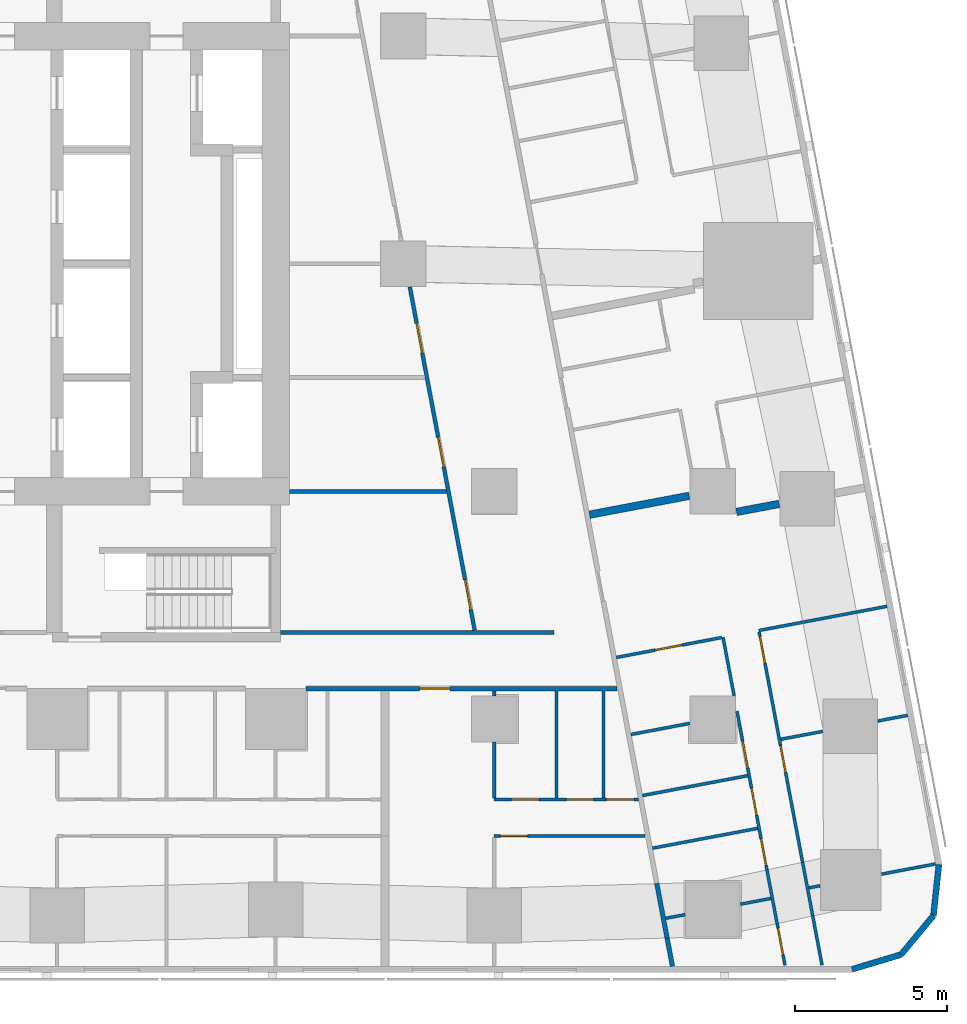
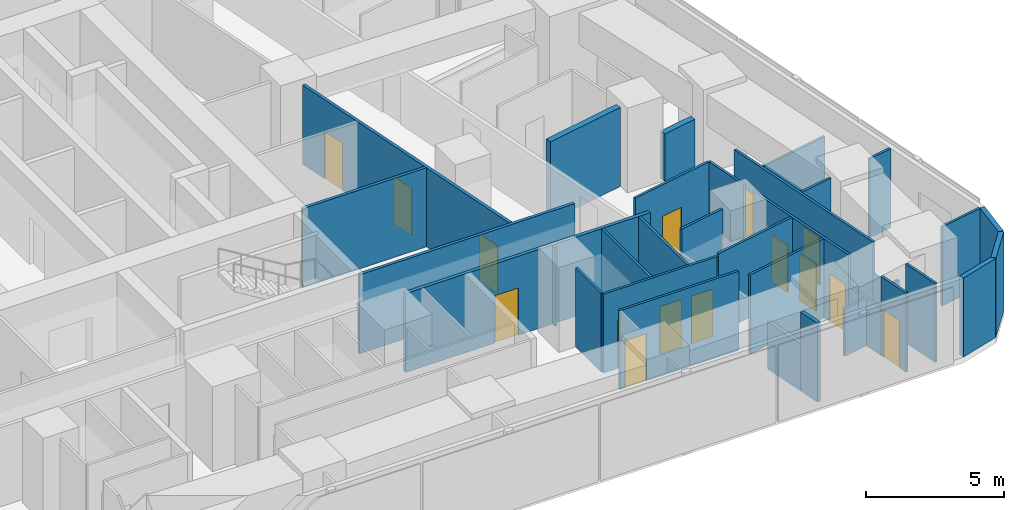
# One storey, part 6 of 14: 35 walls, 15 doors, 15 openings.
"""IFC4 building model written with IfcOpenShell, lengths in metres."""

import ifcopenshell
import ifcopenshell.guid

model = None  # the IFC model being written
_history = None  # IfcOwnerHistory: only IFC2X3 demands one
_inside = {}  # id of a spatial element -> (the spatial element, [elements in it])
_under = {}  # id of a project, library or spatial element -> (it, [spatial elements below it])
_declared = {}  # id of a project -> (the project, [libraries it declares])
_typed = {}  # id of a type object -> (the type object, [elements of that type])
_made_of = {}  # id of a material, layer set ... -> (it, [elements and type objects made of it])


def new_model(schema):
    """Start an empty IFC model of exactly this schema.

    Asked for "IFC4X3", IfcOpenShell would pick the latest addendum, in which some entities
    have other attributes; the version numbers below select the first issue.
    IFC2X3 requires an IfcOwnerHistory on every rooted entity: one is made here for all.
    """
    global model, _history
    if schema == "IFC4X3":
        model = ifcopenshell.file(schema_version=(4, 3, 0, 0))
    else:
        model = ifcopenshell.file(schema=schema)
    _inside.clear()
    _under.clear()
    _declared.clear()
    _typed.clear()
    _made_of.clear()
    _history = None
    if model.schema == "IFC2X3":
        org = make("IfcOrganization", Name="unknown")
        user = make(
            "IfcPersonAndOrganization",
            ThePerson=make("IfcPerson", FamilyName="unknown"),
            TheOrganization=org,
        )
        app = make(
            "IfcApplication",
            ApplicationDeveloper=org,
            Version="unknown",
            ApplicationFullName="unknown",
            ApplicationIdentifier="unknown",
        )
        _history = make(
            "IfcOwnerHistory",
            OwningUser=user,
            OwningApplication=app,
            ChangeAction="ADDED",
            CreationDate=0,
        )
    return model


def make(cls, **values):
    """One entity of the class cls with the attributes given. An attribute that is None is left unset."""
    return model.create_entity(
        cls, **{name: value for name, value in values.items() if value is not None}
    )


def rooted(cls, **values):
    """An entity with a GlobalId (a new one), such as an element, a storey or a relation."""
    return make(cls, GlobalId=ifcopenshell.guid.new(), OwnerHistory=_history, **values)


def si_unit(unit_type, name, prefix=None):
    """IfcSIUnit, for example si_unit("LENGTHUNIT", "METRE", prefix="MILLI")."""
    return make("IfcSIUnit", UnitType=unit_type, Prefix=prefix, Name=name)


def assignment(units):
    """IfcUnitAssignment: the units of a project."""
    return None if units is None else make("IfcUnitAssignment", Units=units)


def point(xyz):
    """IfcCartesianPoint."""
    return None if xyz is None else make("IfcCartesianPoint", Coordinates=xyz)


def direction(xyz):
    """IfcDirection."""
    return None if xyz is None else make("IfcDirection", DirectionRatios=xyz)


def frame(location, z_axis=None, x_axis=None):
    """IfcAxis2Placement3D, a coordinate frame: its origin and axes. An axis left out is left unset."""
    return make(
        "IfcAxis2Placement3D",
        Location=point(location),
        Axis=direction(z_axis),
        RefDirection=direction(x_axis),
    )


def frame_2d(location, x_axis=None):
    """IfcAxis2Placement2D, a coordinate frame in the plane: its origin and x axis."""
    return make(
        "IfcAxis2Placement2D", Location=point(location), RefDirection=direction(x_axis)
    )


def origin():
    """The frame at (0, 0, 0) with its axes left unset."""
    return frame((0.0, 0.0, 0.0))


def place(relative_to, where):
    """IfcLocalPlacement: puts the frame where relative to a parent placement (None: the world)."""
    return make(
        "IfcLocalPlacement", PlacementRelTo=relative_to, RelativePlacement=where
    )


def context(
    kind, dimensions, precision=None, world=None, true_north=None, identifier=None
):
    """IfcGeometricRepresentationContext, for example the 3D "Model" context."""
    return make(
        "IfcGeometricRepresentationContext",
        ContextIdentifier=identifier,
        ContextType=kind,
        CoordinateSpaceDimension=dimensions,
        Precision=precision,
        WorldCoordinateSystem=world,
        TrueNorth=true_north,
    )


def subcontext(parent, identifier, kind, view, scale=None):
    """IfcGeometricRepresentationSubContext, for example "Body" below "Model"."""
    return make(
        "IfcGeometricRepresentationSubContext",
        ContextIdentifier=identifier,
        ContextType=kind,
        ParentContext=parent,
        TargetScale=scale,
        TargetView=view,
    )


def project(units=None, contexts=None):
    """IfcProject with its units and contexts."""
    return rooted(
        "IfcProject",
        Name="project",
        RepresentationContexts=contexts,
        UnitsInContext=assignment(units),
    )


def spatial(cls, under=None, at=None, **own):
    """A site, building, storey or space (cls), placed at a placement, below another one or the project."""
    s = rooted(cls, ObjectPlacement=at, **own)
    if under is not None:
        _under.setdefault(under.id(), (under, []))[1].append(s)
    return s


def profile(cls, at=None, kind="AREA", **sizes):
    """A parametric profile (cls). Its sizes go by their IFC names, for example OverallWidth=200.0."""
    return make(cls, ProfileType=kind, Position=at, **sizes)


def rectangle(**sizes):
    """IfcRectangleProfileDef."""
    return profile("IfcRectangleProfileDef", **sizes)


def extrude(swept, where, along, depth):
    """IfcExtrudedAreaSolid: the profile swept, set in the frame where, extruded along a direction by depth."""
    return make(
        "IfcExtrudedAreaSolid",
        SweptArea=swept,
        Position=where,
        ExtrudedDirection=direction(along),
        Depth=depth,
    )


def shape(context_of_items, identifier, shape_type, items):
    """IfcShapeRepresentation: the items that make up one representation, for example the "Body"."""
    return make(
        "IfcShapeRepresentation",
        ContextOfItems=context_of_items,
        RepresentationIdentifier=identifier,
        RepresentationType=shape_type,
        Items=items,
    )


def material(Name=None, Category=None):
    """IfcMaterial."""
    return make("IfcMaterial", Name=Name, Category=Category)


def layer(
    of_material, thickness, ventilated=None, Name=None, Category=None, Priority=None
):
    """IfcMaterialLayer: one layer of a wall or slab, of a material (None: an air gap)."""
    return make(
        "IfcMaterialLayer",
        Material=of_material,
        LayerThickness=thickness,
        IsVentilated=ventilated,
        Name=Name,
        Category=Category,
        Priority=Priority,
    )


def layer_set(layers, Name=None):
    """IfcMaterialLayerSet."""
    return make("IfcMaterialLayerSet", MaterialLayers=layers, LayerSetName=Name)


def made_of(thing, what):
    """Note that an element or type object is made of a material, layer set ...; save() writes the relation."""
    if what is not None:
        _made_of.setdefault(what.id(), (what, []))[1].append(thing)
    return thing


def type_object(cls, material=None, **own):
    """A type object (cls), such as IfcWallType, which elements share."""
    return made_of(rooted(cls, **own), material)


def element(
    cls,
    number,
    at=None,
    inside=None,
    cuts=None,
    type_object=None,
    material=None,
    context=None,
    identifier="Body",
    shape_type=None,
    held_by="IfcProductDefinitionShape",
    body=None,
    shapes=None,
    **own,
):
    """One element of the class cls, such as IfcWall. Its Tag is "e" and its number.

    at: its placement. inside: the storey or other place that contains it. cuts: it is an
    opening in that element (IfcRelVoidsElement). A single representation is given by context,
    identifier, shape_type and body (its items); several are given by shapes. held_by: the class
    of the entity that holds the representations. save() writes the other relations.
    """
    e = rooted(cls, Tag="e%d" % number, ObjectPlacement=at, **own)
    if body is not None:
        shapes = [shape(context, identifier, shape_type, body)]
    if shapes is not None:
        e.Representation = make(held_by, Representations=shapes)
    if inside is not None:
        _inside.setdefault(inside.id(), (inside, []))[1].append(e)
    if cuts is not None:
        rooted(
            "IfcRelVoidsElement", RelatingBuildingElement=cuts, RelatedOpeningElement=e
        )
    if type_object is not None:
        _typed.setdefault(type_object.id(), (type_object, []))[1].append(e)
    return made_of(e, material)


def fill(opening, filler):
    """IfcRelFillsElement: the door or window that sits in an opening."""
    return rooted(
        "IfcRelFillsElement",
        RelatingOpeningElement=opening,
        RelatedBuildingElement=filler,
    )


def aggregate(whole, parts):
    """IfcRelAggregates: a whole, such as a stair, and the parts it consists of."""
    return rooted("IfcRelAggregates", RelatingObject=whole, RelatedObjects=parts)


def save(model, path):
    """Write the relations noted so far, then the file.

    IfcRelAggregates (storeys below a building ...), IfcRelContainedInSpatialStructure (elements
    in a storey), IfcRelDefinesByType, IfcRelAssociatesMaterial and IfcRelDeclares: one each for
    every whole, place, type object, material and project.
    """
    for whole, parts in _under.values():
        aggregate(whole, parts)
    for where, things in _inside.values():
        rooted(
            "IfcRelContainedInSpatialStructure",
            RelatedElements=things,
            RelatingStructure=where,
        )
    for kind, things in _typed.values():
        rooted("IfcRelDefinesByType", RelatedObjects=things, RelatingType=kind)
    for what, things in _made_of.values():
        rooted("IfcRelAssociatesMaterial", RelatedObjects=things, RelatingMaterial=what)
    for by, libraries in _declared.values():
        rooted("IfcRelDeclares", RelatingContext=by, RelatedDefinitions=libraries)
    model.write(path)


model = new_model("IFC4")

# Units and contexts
model_context = context("Model", 3, precision=1e-05, world=origin(), true_north=direction((0.0, 1.0)))
body_context = subcontext(model_context, "Body", "Model", "MODEL_VIEW")
ifc_project = project(units=[si_unit("LENGTHUNIT", "METRE"), si_unit("AREAUNIT", "SQUARE_METRE"), si_unit("VOLUMEUNIT", "CUBIC_METRE"), si_unit("PLANEANGLEUNIT", "RADIAN"), si_unit("MASSUNIT", "GRAM", prefix="KILO")], contexts=[model_context])

# Site, building, storey
site_placement = place(None, origin())
site = spatial("IfcSite", under=ifc_project, at=site_placement, CompositionType="ELEMENT")
building_placement = place(site_placement, origin())
building = spatial("IfcBuilding", under=site, at=building_placement, Name="Sheger Commons Tower", CompositionType="ELEMENT")
storey_placement = place(building_placement, frame((0.0, 0.0, 135.800048828125)))
storey = spatial("IfcBuildingStorey", under=building, at=storey_placement, Name="L34", CompositionType="ELEMENT", Elevation=135.800048828125)

# Wall, opening, door
ifc_material_1 = material(Name="Hollow concrete block masonry, skimmed both sides", Category="masonry")
ifc_layer_1 = layer(ifc_material_1, 0.14990234375)
ifc_layer_set_1 = layer_set([ifc_layer_1], Name="CORRIDOR WALL 150")
wall_type_1 = type_object("IfcWallType", Name="CORRIDOR WALL 150", PredefinedType="SOLIDWALL", material=ifc_layer_set_1)
wall_1_placement = place(storey_placement, frame((40.052978515625, 8.5, 0.0), z_axis=(0.0, 0.0, 1.0), x_axis=(-1.0, 0.0, 0.0)))
wall_1 = element("IfcWall", 1, at=wall_1_placement, inside=storey, type_object=wall_type_1, Name="Corridor wall L34", PredefinedType="SOLIDWALL", context=body_context, shape_type="SweptSolid", body=[
    extrude(rectangle(XDim=10.251953125, YDim=0.14990234375, at=frame_2d((5.1259765625, 0.0))), origin(), (0.0, 0.0, 1.0), 3.5),
])
opening_1_placement = place(wall_1_placement, frame((5.513916015625, 0.0, 0.0)))
opening_1 = element("IfcOpeningElement", 2, at=opening_1_placement, cuts=wall_1, Name="Opening D1", PredefinedType="OPENING", context=body_context, shape_type="SweptSolid", body=[
    extrude(rectangle(XDim=1.0, YDim=2.10009765625, at=frame_2d((0.5, 1.050048828125))), frame((0.0, 0.0849609375, 0.0), z_axis=(0.0, -1.0, 0.0), x_axis=(1.0, 0.0, 0.0)), (0.0, 0.0, 1.0), 0.169921875),
])
ifc_material_2 = material(Name="Steel door set, fire rated", Category="steel")
door_type_1 = type_object("IfcDoorType", Name="FLAT ENTRANCE DOOR 1000x2100", OperationType="NOTDEFINED", PredefinedType="DOOR", material=ifc_material_2)
door_1_placement = place(opening_1_placement, origin())
door_1 = element("IfcDoor", 3, at=door_1_placement, inside=storey, type_object=door_type_1, Name="Flat entrance door", OperationType="SINGLE_SWING_RIGHT", OverallHeight=2.10009765625, OverallWidth=1.0, PredefinedType="DOOR", context=body_context, shape_type="SweptSolid", body=[
    extrude(rectangle(XDim=1.0, YDim=2.10009765625, at=frame_2d((0.5, 1.050048828125))), frame((0.0, 0.02490234375, 0.0), z_axis=(0.0, -1.0, 0.0), x_axis=(1.0, 0.0, 0.0)), (0.0, 0.0, 1.0), 0.050048828125),
])
fill(opening_1, door_1)

# Walls
wall_2_placement = place(storey_placement, frame((41.35498046875, 2.0859375, 0.0), z_axis=(0.0, 0.0, 1.0), x_axis=(0.185708872674, -0.982604811005, 0.0)))
element("IfcWall", 4, at=wall_2_placement, inside=storey, type_object=wall_type_1, Name="Corridor wall L34", PredefinedType="SOLIDWALL", context=body_context, shape_type="SweptSolid", body=[
    extrude(rectangle(XDim=1.84716796875, YDim=0.14990234375, at=frame_2d((0.923583984375, 0.0))), origin(), (0.0, 0.0, 1.0), 2.099853515625),
])
wall_3_placement = place(storey_placement, frame((41.697998046875, 0.27099609375, 0.0), z_axis=(0.0, 0.0, 1.0), x_axis=(0.185735329995, -0.982599810295, 0.0)))
element("IfcWall", 5, at=wall_3_placement, inside=storey, type_object=wall_type_1, Name="Corridor wall L34", PredefinedType="SOLIDWALL", context=body_context, shape_type="SweptSolid", body=[
    extrude(rectangle(XDim=0.937255859375, YDim=0.14990234375, at=frame_2d((0.46875, 0.0))), origin(), (0.0, 0.0, 1.0), 3.5),
])
ifc_material_3 = material(Name="Dense concrete block masonry, plastered both sides (separating wall between flats)", Category="masonry")
ifc_layer_2 = layer(ifc_material_3, 0.25)
ifc_layer_set_2 = layer_set([ifc_layer_2], Name="DEMISING WALL 250")
wall_type_2 = type_object("IfcWallType", Name="DEMISING WALL 250", PredefinedType="SOLIDWALL", material=ifc_layer_set_2)
wall_4_placement = place(storey_placement, frame((45.389892578125, 14.587890625, 0.0), z_axis=(0.0, 0.0, 1.0), x_axis=(-0.982680951688, -0.18530555089, 0.0)))
element("IfcWall", 6, at=wall_4_placement, inside=storey, type_object=wall_type_2, Name="Demising wall L34", PredefinedType="SOLIDWALL", context=body_context, shape_type="SweptSolid", body=[
    extrude(rectangle(XDim=1.434814453125, YDim=0.25, at=frame_2d((0.71728515625, 0.0))), origin(), (0.0, 0.0, 1.0), 2.099853515625),
])
wall_5_placement = place(storey_placement, frame((42.426025390625, 14.85302734375, 0.0), z_axis=(0.0, 0.0, 1.0), x_axis=(-0.982633560103, -0.185556693654, 0.0)))
element("IfcWall", 7, at=wall_5_placement, inside=storey, type_object=wall_type_2, Name="Demising wall L34", PredefinedType="SOLIDWALL", context=body_context, shape_type="SweptSolid", body=[
    extrude(rectangle(XDim=3.34716796875, YDim=0.25, at=frame_2d((1.673583984375, 0.0))), origin(), (0.0, 0.0, 1.0), 3.5),
])
ifc_material_4 = material(Name="Rendered concrete block masonry, dark grey", Category="masonry")
ifc_layer_3 = layer(ifc_material_4, 0.199951171875)
ifc_layer_set_3 = layer_set([ifc_layer_3], Name="FACADE WALL 200")
wall_type_3 = type_object("IfcWallType", Name="FACADE WALL 200", PredefinedType="SOLIDWALL", material=ifc_layer_set_3)
wall_6_placement = place(storey_placement, frame((47.791015625, -0.75, 0.0), z_axis=(0.0, 0.0, 1.0), x_axis=(0.957455232626, 0.288581838509, 0.0)))
element("IfcWall", 8, at=wall_6_placement, inside=storey, type_object=wall_type_3, Name="Facade wall L34", PredefinedType="SOLIDWALL", context=body_context, shape_type="SweptSolid", body=[
    extrude(rectangle(XDim=1.687744140625, YDim=0.199951171875, at=frame_2d((0.84375, 0.0))), origin(), (0.0, 0.0, 1.0), 3.5),
])
wall_7_placement = place(storey_placement, frame((49.406982421875, -0.262939453125, 0.0), z_axis=(0.0, 0.0, 1.0), x_axis=(0.638042593423, 0.770001070764, 0.0)))
element("IfcWall", 9, at=wall_7_placement, inside=storey, type_object=wall_type_3, Name="Facade wall L34", PredefinedType="SOLIDWALL", context=body_context, shape_type="SweptSolid", body=[
    extrude(rectangle(XDim=1.672607421875, YDim=0.199951171875, at=frame_2d((0.83642578125, 0.0))), origin(), (0.0, 0.0, 1.0), 3.5),
])
wall_8_placement = place(storey_placement, frame((50.47412109375, 1.02490234375, 0.0), z_axis=(0.0, 0.0, 1.0), x_axis=(0.106047815515, 0.994361031429, 0.0)))
element("IfcWall", 10, at=wall_8_placement, inside=storey, type_object=wall_type_3, Name="Facade wall L34", PredefinedType="SOLIDWALL", context=body_context, shape_type="SweptSolid", body=[
    extrude(rectangle(XDim=1.6875, YDim=0.199951171875, at=frame_2d((0.84375, 0.0))), origin(), (0.0, 0.0, 1.0), 3.5),
])

# Wall, opening, door
ifc_material_5 = material(Name="Gypsum board on steel studs", Category="steel")
ifc_layer_4 = layer(ifc_material_5, 0.10009765625)
ifc_layer_set_4 = layer_set([ifc_layer_4], Name="PARTITION 100")
wall_type_4 = type_object("IfcWallType", Name="PARTITION 100", PredefinedType="PARTITIONING", material=ifc_layer_set_4)
wall_9_placement = place(storey_placement, frame((40.97412109375, 3.64990234375, 0.0), z_axis=(0.0, 0.0, 1.0), x_axis=(-1.0, 0.0, 0.0)))
wall_9 = element("IfcWall", 11, at=wall_9_placement, inside=storey, type_object=wall_type_4, Name="Partition L34", PredefinedType="PARTITIONING", context=body_context, shape_type="SweptSolid", body=[
    extrude(rectangle(XDim=4.97412109375, YDim=0.10009765625, at=frame_2d((2.487060546875, 0.0))), origin(), (0.0, 0.0, 1.0), 3.5),
])
opening_2_placement = place(wall_9_placement, frame((3.8740234375, 0.0, 0.0)))
opening_2 = element("IfcOpeningElement", 12, at=opening_2_placement, cuts=wall_9, Name="Opening D2", PredefinedType="OPENING", context=body_context, shape_type="SweptSolid", body=[
    extrude(rectangle(XDim=0.89990234375, YDim=2.10009765625, at=frame_2d((0.449951171875, 1.050048828125))), frame((0.0, 0.06005859375, 0.0), z_axis=(0.0, -1.0, 0.0), x_axis=(1.0, 0.0, 0.0)), (0.0, 0.0, 1.0), 0.1201171875),
])
ifc_material_6 = material(Name="Timber door set", Category="wood")
door_type_2 = type_object("IfcDoorType", Name="INTERNAL DOOR 900x2100", OperationType="NOTDEFINED", PredefinedType="DOOR", material=ifc_material_6)
door_2_placement = place(opening_2_placement, origin())
door_2 = element("IfcDoor", 13, at=door_2_placement, inside=storey, type_object=door_type_2, Name="Main bedroom door", OperationType="SINGLE_SWING_RIGHT", OverallHeight=2.10009765625, OverallWidth=0.89990234375, PredefinedType="DOOR", context=body_context, shape_type="SweptSolid", body=[
    extrude(rectangle(XDim=0.89990234375, YDim=2.10009765625, at=frame_2d((0.449951171875, 1.050048828125))), frame((0.0, 0.02490234375, 0.0), z_axis=(0.0, -1.0, 0.0), x_axis=(1.0, 0.0, 0.0)), (0.0, 0.0, 1.0), 0.050048828125),
])
fill(opening_2, door_2)

# Wall, openings, doors
wall_10_placement = place(storey_placement, frame((40.7470703125, 4.85009765625, 0.0), z_axis=(0.0, 0.0, 1.0), x_axis=(-1.0, 0.0, 0.0)))
wall_10 = element("IfcWall", 14, at=wall_10_placement, inside=storey, type_object=wall_type_4, Name="Partition L34", PredefinedType="PARTITIONING", context=body_context, shape_type="SweptSolid", body=[
    extrude(rectangle(XDim=4.7470703125, YDim=0.10009765625, at=frame_2d((2.37353515625, 0.0))), origin(), (0.0, 0.0, 1.0), 3.5),
])
opening_3_placement = place(wall_10_placement, frame((3.27197265625, 0.0, 0.0)))
opening_3 = element("IfcOpeningElement", 15, at=opening_3_placement, cuts=wall_10, Name="Opening D2", PredefinedType="OPENING", context=body_context, shape_type="SweptSolid", body=[
    extrude(rectangle(XDim=0.89990234375, YDim=2.10009765625, at=frame_2d((0.449951171875, 1.050048828125))), frame((0.0, 0.06005859375, 0.0), z_axis=(0.0, -1.0, 0.0), x_axis=(1.0, 0.0, 0.0)), (0.0, 0.0, 1.0), 0.1201171875),
])
opening_4_placement = place(wall_10_placement, frame((0.14990234375, 0.0, 0.0)))
opening_4 = element("IfcOpeningElement", 16, at=opening_4_placement, cuts=wall_10, Name="Opening D2", PredefinedType="OPENING", context=body_context, shape_type="SweptSolid", body=[
    extrude(rectangle(XDim=0.89990234375, YDim=2.10009765625, at=frame_2d((0.449951171875, 1.050048828125))), frame((0.0, 0.06005859375, 0.0), z_axis=(0.0, -1.0, 0.0), x_axis=(1.0, 0.0, 0.0)), (0.0, 0.0, 1.0), 0.1201171875),
])
opening_5_placement = place(wall_10_placement, frame((1.471923828125, 0.0, 0.0)))
opening_5 = element("IfcOpeningElement", 17, at=opening_5_placement, cuts=wall_10, Name="Opening D2", PredefinedType="OPENING", context=body_context, shape_type="SweptSolid", body=[
    extrude(rectangle(XDim=0.89990234375, YDim=2.10009765625, at=frame_2d((0.449951171875, 1.050048828125))), frame((0.0, 0.06005859375, 0.0), z_axis=(0.0, -1.0, 0.0), x_axis=(1.0, 0.0, 0.0)), (0.0, 0.0, 1.0), 0.1201171875),
])
door_3_placement = place(opening_3_placement, origin())
door_3 = element("IfcDoor", 18, at=door_3_placement, inside=storey, type_object=door_type_2, Name="Bathroom door", OperationType="SINGLE_SWING_LEFT", OverallHeight=2.10009765625, OverallWidth=0.89990234375, PredefinedType="DOOR", context=body_context, shape_type="SweptSolid", body=[
    extrude(rectangle(XDim=0.89990234375, YDim=2.10009765625, at=frame_2d((0.449951171875, 1.050048828125))), frame((0.0, 0.02490234375, 0.0), z_axis=(0.0, -1.0, 0.0), x_axis=(1.0, 0.0, 0.0)), (0.0, 0.0, 1.0), 0.050048828125),
])
fill(opening_3, door_3)
door_4_placement = place(opening_4_placement, origin())
door_4 = element("IfcDoor", 19, at=door_4_placement, inside=storey, type_object=door_type_2, Name="Laundry room door", OperationType="SINGLE_SWING_RIGHT", OverallHeight=2.10009765625, OverallWidth=0.89990234375, PredefinedType="DOOR", context=body_context, shape_type="SweptSolid", body=[
    extrude(rectangle(XDim=0.89990234375, YDim=2.10009765625, at=frame_2d((0.449951171875, 1.050048828125))), frame((0.0, 0.02490234375, 0.0), z_axis=(0.0, -1.0, 0.0), x_axis=(1.0, 0.0, 0.0)), (0.0, 0.0, 1.0), 0.050048828125),
])
fill(opening_4, door_4)
door_5_placement = place(opening_5_placement, origin())
door_5 = element("IfcDoor", 20, at=door_5_placement, inside=storey, type_object=door_type_2, Name="Store door", OperationType="SINGLE_SWING_LEFT", OverallHeight=2.10009765625, OverallWidth=0.89990234375, PredefinedType="DOOR", context=body_context, shape_type="SweptSolid", body=[
    extrude(rectangle(XDim=0.89990234375, YDim=2.10009765625, at=frame_2d((0.449951171875, 1.050048828125))), frame((0.0, 0.02490234375, 0.0), z_axis=(0.0, -1.0, 0.0), x_axis=(1.0, 0.0, 0.0)), (0.0, 0.0, 1.0), 0.050048828125),
])
fill(opening_5, door_5)

# Walls
wall_11_placement = place(storey_placement, frame((36.0, 4.89990234375, 0.0), z_axis=(0.0, 0.0, 1.0), x_axis=(0.0, 1.0, 0.0)))
element("IfcWall", 21, at=wall_11_placement, inside=storey, type_object=wall_type_4, Name="Partition L34", PredefinedType="PARTITIONING", context=body_context, shape_type="SweptSolid", body=[
    extrude(rectangle(XDim=1.84912109375, YDim=0.10009765625, at=frame_2d((0.924560546875, 0.0))), origin(), (0.0, 0.0, 1.0), 3.5),
])
wall_12_placement = place(storey_placement, frame((36.0, 8.2509765625, 0.0), z_axis=(0.0, 0.0, 1.0), x_axis=(0.0, 1.0, 0.0)))
element("IfcWall", 22, at=wall_12_placement, inside=storey, type_object=wall_type_4, Name="Partition L34", PredefinedType="PARTITIONING", context=body_context, shape_type="SweptSolid", body=[
    extrude(rectangle(XDim=0.174072265625, YDim=0.10009765625, at=frame_2d((0.0869140625, 0.0))), origin(), (0.0, 0.0, 1.0), 3.5),
])
for number, where, z_axis, x_axis, name in (
    (23, (39.60009765625, 4.89990234375, 0.0), (0.0, 0.0, 1.0), (0.0, 1.0, 0.0), "Partition L34"),
    (24, (38.050048828125, 4.89990234375, 0.0), (0.0, 0.0, 1.0), (0.0, 1.0, 0.0), "Partition L34"),
):
    element("IfcWall", number, at=place(storey_placement, frame(where, z_axis=z_axis, x_axis=x_axis)), inside=storey, type_object=wall_type_4, Name=name, PredefinedType="PARTITIONING", context=body_context, shape_type="SweptSolid", body=[
        extrude(rectangle(XDim=3.525146484375, YDim=0.10009765625, at=frame_2d((1.7626953125, 0.0))), origin(), (0.0, 0.0, 1.0), 3.5),
    ])

# Wall, openings, doors
wall_13_placement = place(storey_placement, frame((44.72705078125, 10.365966796875, 0.0), z_axis=(0.0, 0.0, 1.0), x_axis=(0.185578957652, -0.982629355595, 0.0)))
wall_13 = element("IfcWall", 25, at=wall_13_placement, inside=storey, type_object=wall_type_4, Name="Partition L34", PredefinedType="PARTITIONING", context=body_context, shape_type="SweptSolid", body=[
    extrude(rectangle(XDim=7.720947265625, YDim=0.10009765625, at=frame_2d((3.8603515625, 0.0))), origin(), (0.0, 0.0, 1.0), 3.5),
])
opening_6_placement = place(wall_13_placement, frame((0.15087890625, 0.0, 0.0)))
opening_6 = element("IfcOpeningElement", 26, at=opening_6_placement, cuts=wall_13, Name="Opening D2", PredefinedType="OPENING", context=body_context, shape_type="SweptSolid", body=[
    extrude(rectangle(XDim=0.89990234375, YDim=2.10009765625, at=frame_2d((0.449951171875, 1.050048828125))), frame((0.0, 0.06005859375, 0.0), z_axis=(0.0, -1.0, 0.0), x_axis=(1.0, 0.0, 0.0)), (0.0, 0.0, 1.0), 0.1201171875),
])
opening_7_placement = place(wall_13_placement, frame((3.805908203125, 0.0, 0.0)))
opening_7 = element("IfcOpeningElement", 27, at=opening_7_placement, cuts=wall_13, Name="Opening D2", PredefinedType="OPENING", context=body_context, shape_type="SweptSolid", body=[
    extrude(rectangle(XDim=0.89990234375, YDim=2.10009765625, at=frame_2d((0.449951171875, 1.050048828125))), frame((0.0, 0.06005859375, 0.0), z_axis=(0.0, -1.0, 0.0), x_axis=(1.0, 0.0, 0.0)), (0.0, 0.0, 1.0), 0.1201171875),
])
door_6_placement = place(opening_6_placement, origin())
door_6 = element("IfcDoor", 28, at=door_6_placement, inside=storey, type_object=door_type_2, Name="Main bedroom door", OperationType="SINGLE_SWING_LEFT", OverallHeight=2.10009765625, OverallWidth=0.89990234375, PredefinedType="DOOR", context=body_context, shape_type="SweptSolid", body=[
    extrude(rectangle(XDim=0.89990234375, YDim=2.10009765625, at=frame_2d((0.449951171875, 1.050048828125))), frame((0.0, 0.02490234375, 0.0), z_axis=(0.0, -1.0, 0.0), x_axis=(1.0, 0.0, 0.0)), (0.0, 0.0, 1.0), 0.050048828125),
])
fill(opening_6, door_6)
door_7_placement = place(opening_7_placement, origin())
door_7 = element("IfcDoor", 29, at=door_7_placement, inside=storey, type_object=door_type_2, Name="Bedroom 2 door", OperationType="SINGLE_SWING_LEFT", OverallHeight=2.10009765625, OverallWidth=0.89990234375, PredefinedType="DOOR", context=body_context, shape_type="SweptSolid", body=[
    extrude(rectangle(XDim=0.89990234375, YDim=2.10009765625, at=frame_2d((0.449951171875, 1.050048828125))), frame((0.0, 0.02490234375, 0.0), z_axis=(0.0, -1.0, 0.0), x_axis=(1.0, 0.0, 0.0)), (0.0, 0.0, 1.0), 0.050048828125),
])
fill(opening_7, door_7)

# Walls
wall_14_placement = place(storey_placement, frame((46.159912109375, 2.779052734375, 0.0), z_axis=(0.0, 0.0, 1.0), x_axis=(0.18597295662, -0.982554863306, 0.0)))
element("IfcWall", 30, at=wall_14_placement, inside=storey, type_object=wall_type_4, Name="Partition L34", PredefinedType="PARTITIONING", context=body_context, shape_type="SweptSolid", body=[
    extrude(rectangle(XDim=1.802490234375, YDim=0.10009765625, at=frame_2d((0.9013671875, 0.0))), origin(), (0.0, 0.0, 1.0), 2.099853515625),
])
wall_15_placement = place(storey_placement, frame((46.4951171875, 1.008056640625, 0.0), z_axis=(0.0, 0.0, 1.0), x_axis=(0.185535059532, -0.982637645159, 0.0)))
element("IfcWall", 31, at=wall_15_placement, inside=storey, type_object=wall_type_4, Name="Partition L34", PredefinedType="PARTITIONING", context=body_context, shape_type="SweptSolid", body=[
    extrude(rectangle(XDim=1.6435546875, YDim=0.10009765625, at=frame_2d((0.82177734375, 0.0))), origin(), (0.0, 0.0, 1.0), 3.5),
])
wall_16_placement = place(storey_placement, frame((43.5390625, 10.19189453125, 0.0), z_axis=(0.0, 0.0, 1.0), x_axis=(0.18564540894, -0.982616803306, 0.0)))
element("IfcWall", 32, at=wall_16_placement, inside=storey, type_object=wall_type_4, Name="Partition L34", PredefinedType="PARTITIONING", context=body_context, shape_type="SweptSolid", body=[
    extrude(rectangle(XDim=1.966064453125, YDim=0.10009765625, at=frame_2d((0.98291015625, 0.0))), origin(), (0.0, 0.0, 1.0), 3.5),
])

# Wall, openings, doors
wall_17_placement = place(storey_placement, frame((43.9990234375, 7.7548828125, 0.0), z_axis=(0.0, 0.0, 1.0), x_axis=(0.185565904578, -0.982631820703, 0.0)))
wall_17 = element("IfcWall", 33, at=wall_17_placement, inside=storey, type_object=wall_type_4, Name="Partition L34", PredefinedType="PARTITIONING", context=body_context, shape_type="SweptSolid", body=[
    extrude(rectangle(XDim=5.319091796875, YDim=0.10009765625, at=frame_2d((2.65966796875, 0.0))), origin(), (0.0, 0.0, 1.0), 3.5),
])
opening_8_placement = place(wall_17_placement, frame((1.0, 0.0, 0.0)))
opening_8 = element("IfcOpeningElement", 34, at=opening_8_placement, cuts=wall_17, Name="Opening D2", PredefinedType="OPENING", context=body_context, shape_type="SweptSolid", body=[
    extrude(rectangle(XDim=0.89990234375, YDim=2.10009765625, at=frame_2d((0.449951171875, 1.050048828125))), frame((0.0, 0.06005859375, 0.0), z_axis=(0.0, -1.0, 0.0), x_axis=(1.0, 0.0, 0.0)), (0.0, 0.0, 1.0), 0.1201171875),
])
opening_9_placement = place(wall_17_placement, frame((4.26904296875, 0.0, 0.0)))
opening_9 = element("IfcOpeningElement", 35, at=opening_9_placement, cuts=wall_17, Name="Opening D2", PredefinedType="OPENING", context=body_context, shape_type="SweptSolid", body=[
    extrude(rectangle(XDim=0.89990234375, YDim=2.10009765625, at=frame_2d((0.449951171875, 1.050048828125))), frame((0.0, 0.06005859375, 0.0), z_axis=(0.0, -1.0, 0.0), x_axis=(1.0, 0.0, 0.0)), (0.0, 0.0, 1.0), 0.1201171875),
])
opening_10_placement = place(wall_17_placement, frame((2.5849609375, 0.0, 0.0)))
opening_10 = element("IfcOpeningElement", 36, at=opening_10_placement, cuts=wall_17, Name="Opening D2", PredefinedType="OPENING", context=body_context, shape_type="SweptSolid", body=[
    extrude(rectangle(XDim=0.89990234375, YDim=2.10009765625, at=frame_2d((0.449951171875, 1.050048828125))), frame((0.0, 0.06005859375, 0.0), z_axis=(0.0, -1.0, 0.0), x_axis=(1.0, 0.0, 0.0)), (0.0, 0.0, 1.0), 0.1201171875),
])
door_8_placement = place(opening_8_placement, origin())
door_8 = element("IfcDoor", 37, at=door_8_placement, inside=storey, type_object=door_type_2, Name="Bathroom door", OperationType="SINGLE_SWING_LEFT", OverallHeight=2.10009765625, OverallWidth=0.89990234375, PredefinedType="DOOR", context=body_context, shape_type="SweptSolid", body=[
    extrude(rectangle(XDim=0.89990234375, YDim=2.10009765625, at=frame_2d((0.449951171875, 1.050048828125))), frame((0.0, 0.02490234375, 0.0), z_axis=(0.0, -1.0, 0.0), x_axis=(1.0, 0.0, 0.0)), (0.0, 0.0, 1.0), 0.050048828125),
])
fill(opening_8, door_8)
door_9_placement = place(opening_9_placement, origin())
door_9 = element("IfcDoor", 38, at=door_9_placement, inside=storey, type_object=door_type_2, Name="Laundry room door", OperationType="SINGLE_SWING_LEFT", OverallHeight=2.10009765625, OverallWidth=0.89990234375, PredefinedType="DOOR", context=body_context, shape_type="SweptSolid", body=[
    extrude(rectangle(XDim=0.89990234375, YDim=2.10009765625, at=frame_2d((0.449951171875, 1.050048828125))), frame((0.0, 0.02490234375, 0.0), z_axis=(0.0, -1.0, 0.0), x_axis=(1.0, 0.0, 0.0)), (0.0, 0.0, 1.0), 0.050048828125),
])
fill(opening_9, door_9)
door_10_placement = place(opening_10_placement, origin())
door_10 = element("IfcDoor", 39, at=door_10_placement, inside=storey, type_object=door_type_2, Name="Store door", OperationType="SINGLE_SWING_LEFT", OverallHeight=2.10009765625, OverallWidth=0.89990234375, PredefinedType="DOOR", context=body_context, shape_type="SweptSolid", body=[
    extrude(rectangle(XDim=0.89990234375, YDim=2.10009765625, at=frame_2d((0.449951171875, 1.050048828125))), frame((0.0, 0.02490234375, 0.0), z_axis=(0.0, -1.0, 0.0), x_axis=(1.0, 0.0, 0.0)), (0.0, 0.0, 1.0), 0.050048828125),
])
fill(opening_10, door_10)

# Wall
wall_18_placement = place(storey_placement, frame((44.986083984375, 2.528076171875, 0.0), z_axis=(0.0, 0.0, 1.0), x_axis=(0.18584218627, -0.982579605835, 0.0)))
element("IfcWall", 40, at=wall_18_placement, inside=storey, type_object=wall_type_4, Name="Partition L34", PredefinedType="PARTITIONING", context=body_context, shape_type="SweptSolid", body=[
    extrude(rectangle(XDim=1.802490234375, YDim=0.10009765625, at=frame_2d((0.9013671875, 0.0))), origin(), (0.0, 0.0, 1.0), 2.099853515625),
])

# Wall, opening, door
wall_19_placement = place(storey_placement, frame((45.321044921875, 0.757080078125, 0.0), z_axis=(0.0, 0.0, 1.0), x_axis=(0.185640562635, -0.982617718904, 0.0)))
wall_19 = element("IfcWall", 41, at=wall_19_placement, inside=storey, type_object=wall_type_4, Name="Partition L34", PredefinedType="PARTITIONING", context=body_context, shape_type="SweptSolid", body=[
    extrude(rectangle(XDim=1.395263671875, YDim=0.10009765625, at=frame_2d((0.69775390625, 0.0))), origin(), (0.0, 0.0, 1.0), 3.5),
])
opening_11_placement = place(wall_19_placement, frame((0.14990234375, 0.0, 0.0)))
opening_11 = element("IfcOpeningElement", 42, at=opening_11_placement, cuts=wall_19, Name="Opening D2", PredefinedType="OPENING", context=body_context, shape_type="SweptSolid", body=[
    extrude(rectangle(XDim=0.89990234375, YDim=2.10009765625, at=frame_2d((0.449951171875, 1.050048828125))), frame((0.0, 0.06005859375, 0.0), z_axis=(0.0, -1.0, 0.0), x_axis=(1.0, 0.0, 0.0)), (0.0, 0.0, 1.0), 0.1201171875),
])
door_11_placement = place(opening_11_placement, origin())
door_11 = element("IfcDoor", 43, at=door_11_placement, inside=storey, type_object=door_type_2, Name="Laundry room door", OperationType="SINGLE_SWING_RIGHT", OverallHeight=2.10009765625, OverallWidth=0.89990234375, PredefinedType="DOOR", context=body_context, shape_type="SweptSolid", body=[
    extrude(rectangle(XDim=0.89990234375, YDim=2.10009765625, at=frame_2d((0.449951171875, 1.050048828125))), frame((0.0, 0.02490234375, 0.0), z_axis=(0.0, -1.0, 0.0), x_axis=(1.0, 0.0, 0.0)), (0.0, 0.0, 1.0), 0.050048828125),
])
fill(opening_11, door_11)

# Walls
wall_20_placement = place(storey_placement, frame((48.943115234375, 11.212890625, 0.0), z_axis=(0.0, 0.0, 1.0), x_axis=(-0.982633535512, -0.185556823879, 0.0)))
element("IfcWall", 44, at=wall_20_placement, inside=storey, type_object=wall_type_4, Name="Partition L34", PredefinedType="PARTITIONING", context=body_context, shape_type="SweptSolid", body=[
    extrude(rectangle(XDim=4.2998046875, YDim=0.10009765625, at=frame_2d((2.14990234375, 0.0))), origin(), (0.0, 0.0, 1.0), 2.099853515625),
])
wall_21_placement = place(storey_placement, frame((49.6220703125, 7.6201171875, 0.0), z_axis=(0.0, 0.0, 1.0), x_axis=(-0.982708646087, -0.185158626332, 0.0)))
element("IfcWall", 45, at=wall_21_placement, inside=storey, type_object=wall_type_4, Name="Partition L34", PredefinedType="PARTITIONING", context=body_context, shape_type="SweptSolid", body=[
    extrude(rectangle(XDim=0.99951171875, YDim=0.10009765625, at=frame_2d((0.499755859375, 0.0))), origin(), (0.0, 0.0, 1.0), 3.5),
])
wall_22_placement = place(storey_placement, frame((46.820068359375, 7.091064453125, 0.0), z_axis=(0.0, 0.0, 1.0), x_axis=(-0.982689853246, -0.185258339427, 0.0)))
element("IfcWall", 46, at=wall_22_placement, inside=storey, type_object=wall_type_4, Name="Partition L34", PredefinedType="PARTITIONING", context=body_context, shape_type="SweptSolid", body=[
    extrude(rectangle(XDim=1.398193359375, YDim=0.10009765625, at=frame_2d((0.69921875, 0.0))), origin(), (0.0, 0.0, 1.0), 3.5),
])
wall_23_placement = place(storey_placement, frame((50.547119140625, 2.72607421875, 0.0), z_axis=(0.0, 0.0, 1.0), x_axis=(-0.982603988143, -0.185713226471, 0.0)))
element("IfcWall", 47, at=wall_23_placement, inside=storey, type_object=wall_type_4, Name="Partition L34", PredefinedType="PARTITIONING", context=body_context, shape_type="SweptSolid", body=[
    extrude(rectangle(XDim=1.82080078125, YDim=0.10009765625, at=frame_2d((0.910400390625, 0.0))), origin(), (0.0, 0.0, 1.0), 3.5),
])
wall_24_placement = place(storey_placement, frame((46.738037109375, 2.006103515625, 0.0), z_axis=(0.0, 0.0, 1.0), x_axis=(-0.982820466874, -0.184564161994, 0.0)))
element("IfcWall", 48, at=wall_24_placement, inside=storey, type_object=wall_type_4, Name="Partition L34", PredefinedType="PARTITIONING", context=body_context, shape_type="SweptSolid", body=[
    extrude(rectangle(XDim=0.374267578125, YDim=0.10009765625, at=frame_2d((0.18701171875, 0.0))), origin(), (0.0, 0.0, 1.0), 2.099853515625),
])

# Wall, opening, door
wall_25_placement = place(storey_placement, frame((43.489990234375, 10.18310546875, 0.0), z_axis=(0.0, 0.0, 1.0), x_axis=(-0.982588017646, -0.185797706064, 0.0)))
wall_25 = element("IfcWall", 49, at=wall_25_placement, inside=storey, type_object=wall_type_4, Name="Partition L34", PredefinedType="PARTITIONING", context=body_context, shape_type="SweptSolid", body=[
    extrude(rectangle(XDim=3.525390625, YDim=0.10009765625, at=frame_2d((1.7626953125, 0.0))), origin(), (0.0, 0.0, 1.0), 3.5),
])
opening_12_placement = place(wall_25_placement, frame((1.324951171875, 0.0, 0.0)))
opening_12 = element("IfcOpeningElement", 50, at=opening_12_placement, cuts=wall_25, Name="Opening D2", PredefinedType="OPENING", context=body_context, shape_type="SweptSolid", body=[
    extrude(rectangle(XDim=0.89990234375, YDim=2.10009765625, at=frame_2d((0.449951171875, 1.050048828125))), frame((0.0, 0.06005859375, 0.0), z_axis=(0.0, -1.0, 0.0), x_axis=(1.0, 0.0, 0.0)), (0.0, 0.0, 1.0), 0.1201171875),
])
door_12_placement = place(opening_12_placement, origin())
door_12 = element("IfcDoor", 51, at=door_12_placement, inside=storey, type_object=door_type_2, Name="Store door", OperationType="SINGLE_SWING_LEFT", OverallHeight=2.10009765625, OverallWidth=0.89990234375, PredefinedType="DOOR", context=body_context, shape_type="SweptSolid", body=[
    extrude(rectangle(XDim=0.89990234375, YDim=2.10009765625, at=frame_2d((0.449951171875, 1.050048828125))), frame((0.0, 0.02490234375, 0.0), z_axis=(0.0, -1.0, 0.0), x_axis=(1.0, 0.0, 0.0)), (0.0, 0.0, 1.0), 0.050048828125),
])
fill(opening_12, door_12)

# Walls
wall_26_placement = place(storey_placement, frame((42.43994140625, 7.35693359375, 0.0), z_axis=(0.0, 0.0, 1.0), x_axis=(-0.982581871375, -0.185830207569, 0.0)))
element("IfcWall", 52, at=wall_26_placement, inside=storey, type_object=wall_type_4, Name="Partition L34", PredefinedType="PARTITIONING", context=body_context, shape_type="SweptSolid", body=[
    extrude(rectangle(XDim=1.969482421875, YDim=0.10009765625, at=frame_2d((0.98486328125, 0.0))), origin(), (0.0, 0.0, 1.0), 3.5),
])
wall_27_placement = place(storey_placement, frame((45.114013671875, 1.5869140625, 0.0), z_axis=(0.0, 0.0, 1.0), x_axis=(-0.982567886437, -0.185904138047, 0.0)))
element("IfcWall", 53, at=wall_27_placement, inside=storey, type_object=wall_type_4, Name="Partition L34", PredefinedType="PARTITIONING", context=body_context, shape_type="SweptSolid", body=[
    extrude(rectangle(XDim=1.021728515625, YDim=0.10009765625, at=frame_2d((0.5107421875, 0.0))), origin(), (0.0, 0.0, 1.0), 2.099853515625),
])
wall_28_placement = place(storey_placement, frame((42.2900390625, 1.052978515625, 0.0), z_axis=(0.0, 0.0, 1.0), x_axis=(-0.982573945355, -0.185872111707, 0.0)))
element("IfcWall", 54, at=wall_28_placement, inside=storey, type_object=wall_type_4, Name="Partition L34", PredefinedType="PARTITIONING", context=body_context, shape_type="SweptSolid", body=[
    extrude(rectangle(XDim=0.651611328125, YDim=0.10009765625, at=frame_2d((0.32568359375, 0.0))), origin(), (0.0, 0.0, 1.0), 2.099853515625),
])
for number, where, z_axis, x_axis, name in (
    (55, (44.677001953125, 3.89599609375, 0.0), (0.0, 0.0, 1.0), (-0.982638553676, -0.185530247748, 0.0), "Partition L34"),
    (56, (44.35009765625, 5.631103515625, 0.0), (0.0, 0.0, 1.0), (-0.982638553676, -0.185530247748, 0.0), "Partition L34"),
):
    element("IfcWall", number, at=place(storey_placement, frame(where, z_axis=z_axis, x_axis=x_axis)), inside=storey, type_object=wall_type_4, Name=name, PredefinedType="PARTITIONING", context=body_context, shape_type="SweptSolid", body=[
        extrude(rectangle(XDim=3.525390625, YDim=0.10009765625, at=frame_2d((1.7626953125, 0.0))), origin(), (0.0, 0.0, 1.0), 3.5),
    ])
ifc_material_7 = material(Name="Gypsum board on steel studs, two layers each side, fire rated", Category="steel")
ifc_layer_5 = layer(ifc_material_7, 0.125)
ifc_layer_set_5 = layer_set([ifc_layer_5], Name="SERVICE WALL 125")
wall_type_5 = type_object("IfcWallType", Name="SERVICE WALL 125", PredefinedType="PARTITIONING", material=ifc_layer_set_5)
wall_29_placement = place(storey_placement, frame((28.949951171875, 10.35009765625, 0.0), z_axis=(0.0, 0.0, 1.0), x_axis=(1.0, 0.0, 0.0)))
element("IfcWall", 57, at=wall_29_placement, inside=storey, type_object=wall_type_5, Name="Service room wall L34", PredefinedType="PARTITIONING", context=body_context, shape_type="SweptSolid", body=[
    extrude(rectangle(XDim=9.012939453125, YDim=0.125, at=frame_2d((4.50634765625, 0.0))), origin(), (0.0, 0.0, 1.0), 3.5),
])

# Wall, openings, doors
wall_30_placement = place(storey_placement, frame((35.35400390625, 10.424072265625, 0.0), z_axis=(0.0, 0.0, 1.0), x_axis=(-0.185612234763, 0.982623070311, 0.0)))
wall_30 = element("IfcWall", 58, at=wall_30_placement, inside=storey, type_object=wall_type_5, Name="Service room wall L34", PredefinedType="PARTITIONING", context=body_context, shape_type="SweptSolid", body=[
    extrude(rectangle(XDim=11.512939453125, YDim=0.125, at=frame_2d((5.75634765625, 0.0))), origin(), (0.0, 0.0, 1.0), 3.5),
])
opening_13_placement = place(wall_30_placement, frame((0.697021484375, 0.0, 0.0)))
opening_13 = element("IfcOpeningElement", 59, at=opening_13_placement, cuts=wall_30, Name="Opening D4", PredefinedType="OPENING", context=body_context, shape_type="SweptSolid", body=[
    extrude(rectangle(XDim=1.0, YDim=2.10009765625, at=frame_2d((0.5, 1.050048828125))), frame((0.0, 0.072509765625, 0.0), z_axis=(0.0, -1.0, 0.0), x_axis=(1.0, 0.0, 0.0)), (0.0, 0.0, 1.0), 0.14501953125),
])
opening_14_placement = place(wall_30_placement, frame((5.47998046875, 0.0, 0.0)))
opening_14 = element("IfcOpeningElement", 60, at=opening_14_placement, cuts=wall_30, Name="Opening D4", PredefinedType="OPENING", context=body_context, shape_type="SweptSolid", body=[
    extrude(rectangle(XDim=1.0, YDim=2.10009765625, at=frame_2d((0.5, 1.050048828125))), frame((0.0, 0.072509765625, 0.0), z_axis=(0.0, -1.0, 0.0), x_axis=(1.0, 0.0, 0.0)), (0.0, 0.0, 1.0), 0.14501953125),
])
opening_15_placement = place(wall_30_placement, frame((9.2958984375, 0.0, 0.0)))
opening_15 = element("IfcOpeningElement", 61, at=opening_15_placement, cuts=wall_30, Name="Opening D4", PredefinedType="OPENING", context=body_context, shape_type="SweptSolid", body=[
    extrude(rectangle(XDim=1.0, YDim=2.10009765625, at=frame_2d((0.5, 1.050048828125))), frame((0.0, 0.072509765625, 0.0), z_axis=(0.0, -1.0, 0.0), x_axis=(1.0, 0.0, 0.0)), (0.0, 0.0, 1.0), 0.14501953125),
])
ifc_material_8 = material(Name="Steel door set, fire rated", Category="steel")
door_type_3 = type_object("IfcDoorType", Name="SERVICE DOOR 1000x2100", OperationType="NOTDEFINED", PredefinedType="DOOR", material=ifc_material_8)
door_13_placement = place(opening_13_placement, origin())
door_13 = element("IfcDoor", 62, at=door_13_placement, inside=storey, type_object=door_type_3, Name="Residents' study room door", OperationType="SINGLE_SWING_LEFT", OverallHeight=2.10009765625, OverallWidth=1.0, PredefinedType="DOOR", context=body_context, shape_type="SweptSolid", body=[
    extrude(rectangle(XDim=1.0, YDim=2.10009765625, at=frame_2d((0.5, 1.050048828125))), frame((0.0, 0.02490234375, 0.0), z_axis=(0.0, -1.0, 0.0), x_axis=(1.0, 0.0, 0.0)), (0.0, 0.0, 1.0), 0.050048828125),
])
fill(opening_13, door_13)
door_14_placement = place(opening_14_placement, origin())
door_14 = element("IfcDoor", 63, at=door_14_placement, inside=storey, type_object=door_type_3, Name="Residents' hobby room door", OperationType="SINGLE_SWING_LEFT", OverallHeight=2.10009765625, OverallWidth=1.0, PredefinedType="DOOR", context=body_context, shape_type="SweptSolid", body=[
    extrude(rectangle(XDim=1.0, YDim=2.10009765625, at=frame_2d((0.5, 1.050048828125))), frame((0.0, 0.02490234375, 0.0), z_axis=(0.0, -1.0, 0.0), x_axis=(1.0, 0.0, 0.0)), (0.0, 0.0, 1.0), 0.050048828125),
])
fill(opening_14, door_14)
door_15_placement = place(opening_15_placement, origin())
door_15 = element("IfcDoor", 64, at=door_15_placement, inside=storey, type_object=door_type_3, Name="Bicycle and pram store door", OperationType="SINGLE_SWING_LEFT", OverallHeight=2.10009765625, OverallWidth=1.0, PredefinedType="DOOR", context=body_context, shape_type="SweptSolid", body=[
    extrude(rectangle(XDim=1.0, YDim=2.10009765625, at=frame_2d((0.5, 1.050048828125))), frame((0.0, 0.02490234375, 0.0), z_axis=(0.0, -1.0, 0.0), x_axis=(1.0, 0.0, 0.0)), (0.0, 0.0, 1.0), 0.050048828125),
])
fill(opening_15, door_15)

# Wall
wall_31_placement = place(storey_placement, frame((29.25, 15.0, 0.0), z_axis=(0.0, 0.0, 1.0), x_axis=(1.0, 0.0, 0.0)))
element("IfcWall", 65, at=wall_31_placement, inside=storey, type_object=wall_type_5, Name="Service room wall L34", PredefinedType="PARTITIONING", context=body_context, shape_type="SweptSolid", body=[
    extrude(rectangle(XDim=5.176025390625, YDim=0.125, at=frame_2d((2.587890625, 0.0))), origin(), (0.0, 0.0, 1.0), 3.5),
])

save(model, "model.ifc")
